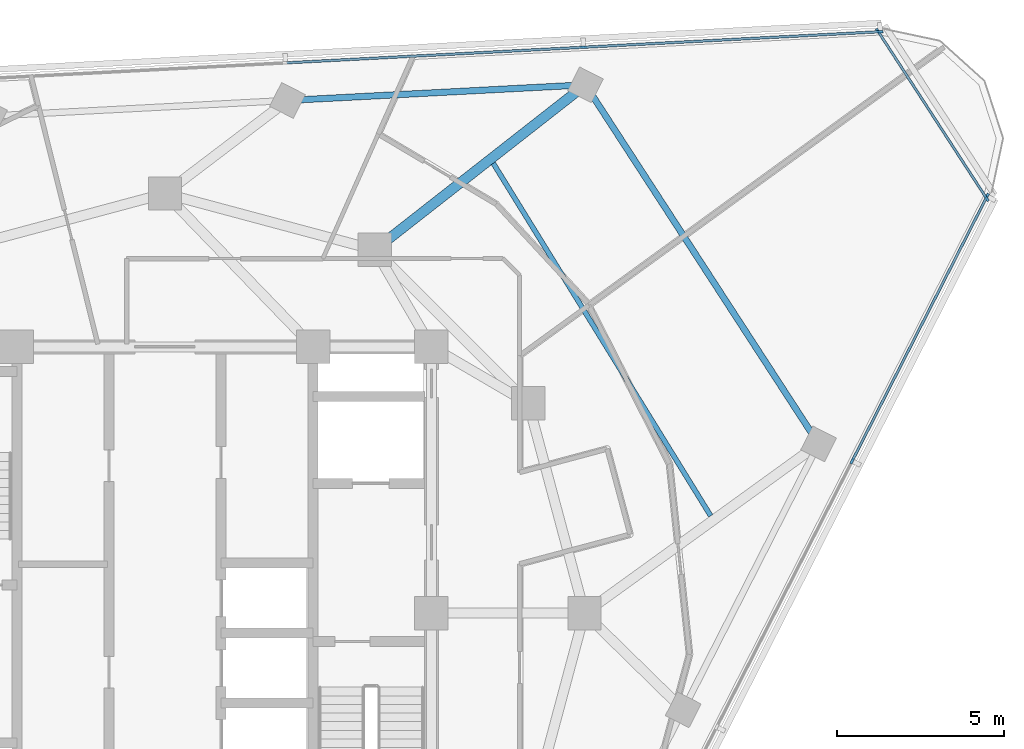
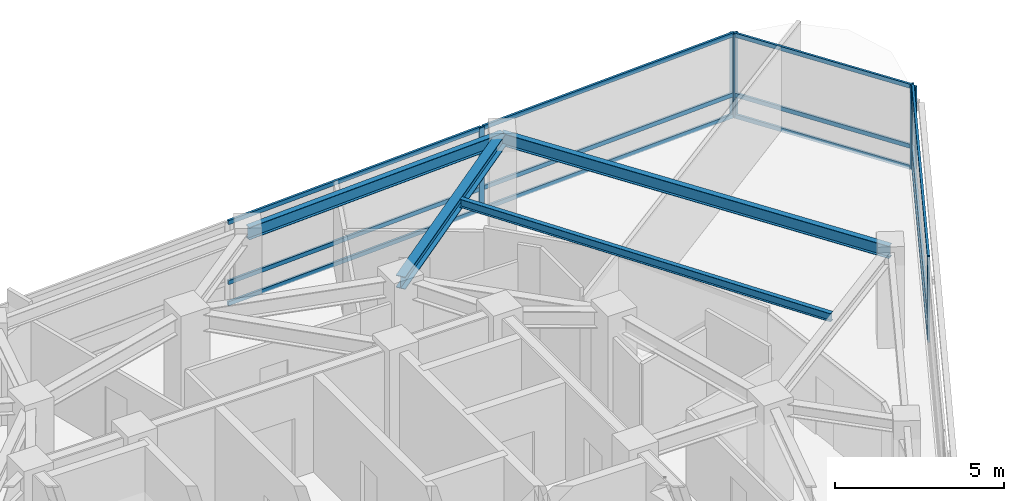
# One storey, part 6 of 15: 18 members, 4 beams, 3 elements without a shape of their own.
"""IFC4 building model written with IfcOpenShell, lengths in metres."""

from ifc_helpers import new_model, si_unit, direction, frame, origin, origin_2d, place, context, subcontext, project, spatial, rectangle, i_section, extrude, material, layer, layer_set, material_profile, profile_set, type_object, element, aggregate, save


model = new_model("IFC4")

# Units and contexts
model_context = context("Model", 3, precision=1e-05, world=origin(), true_north=direction((0.0, 1.0)))
body_context = subcontext(model_context, "Body", "Model", "MODEL_VIEW")
ifc_project = project(units=[si_unit("LENGTHUNIT", "METRE"), si_unit("AREAUNIT", "SQUARE_METRE"), si_unit("VOLUMEUNIT", "CUBIC_METRE"), si_unit("PLANEANGLEUNIT", "RADIAN"), si_unit("MASSUNIT", "GRAM", prefix="KILO")], contexts=[model_context])

# Site, building, storey
site_placement = place(None, origin())
site = spatial("IfcSite", under=ifc_project, at=site_placement, CompositionType="ELEMENT")
building_placement = place(site_placement, origin())
building = spatial("IfcBuilding", under=site, at=building_placement, Name="Terralouvre Media Tower", CompositionType="ELEMENT")
storey_placement = place(building_placement, frame((0.0, 0.0, 248.5)))
storey = spatial("IfcBuildingStorey", under=building, at=storey_placement, Name="L64", CompositionType="ELEMENT", Elevation=248.5)

# Beam
ifc_material_1 = material(Name="Structural steel S355J2", Category="steel")
ifc_material_profile_1 = material_profile(ifc_material_1, i_section(OverallWidth=0.14990234375, OverallDepth=0.300048828125, WebThickness=0.007080078125, FlangeThickness=0.0107421875, at=origin_2d()), Name="IPE 300")
ifc_profile_set_1 = profile_set([ifc_material_profile_1], Name="Structural steel S355J2")
beam_type_1 = type_object("IfcBeamType", Name="Composite Floor Joist J-IPE300 (IPE 300)", PredefinedType="JOIST", material=ifc_profile_set_1)
beam_1_placement = place(storey_placement, frame((16.387451171875, 2.9228515625, 3.35009765625), z_axis=(-0.524944877802, 0.851136226035, 0.0), x_axis=(-0.851136226035, -0.524944877802, 0.0)))
element("IfcBeam", 1, at=beam_1_placement, inside=storey, type_object=beam_type_1, Name="L64 Framing Beam JT-L64-03", PredefinedType="JOIST", context=body_context, shape_type="SweptSolid", body=[
    extrude(i_section(OverallWidth=0.14990234375, OverallDepth=0.300048828125, WebThickness=0.007080078125, FlangeThickness=0.0107421875, at=origin_2d()), origin(), (0.0, 0.0, 1.0), 12.43701171875),
])

# Curtain wall, members
ifc_material_2 = material(Name="Low-iron laminated double glazing with solar-control coating", Category="glass")
ifc_layer_1 = layer(ifc_material_2, 0.1650390625, Name="Upper Executive Tower Curtain Wall CW-05")
ifc_layer_set_1 = layer_set([ifc_layer_1], Name="Low-iron laminated double glazing with solar-control coating")
curtain_wall_type_1 = type_object("IfcCurtainWallType", Name="Upper Executive Tower Curtain Wall CW-05", PredefinedType="NOTDEFINED", material=ifc_layer_set_1)
curtain_wall_1_placement = place(storey_placement, origin())
curtain_wall_1 = element("IfcCurtainWall", 2, at=curtain_wall_1_placement, inside=storey, type_object=curtain_wall_type_1, Name="L64 Facade Curtain Wall F0", PredefinedType="NOTDEFINED")
ifc_material_3 = material(Name="Anodised extruded aluminium 6063-T6", Category="aluminium")
ifc_material_profile_2 = material_profile(ifc_material_3, rectangle(XDim=0.074951171875, YDim=0.14990234375, at=origin_2d()), Name="ALU 75x150")
ifc_profile_set_2 = profile_set([ifc_material_profile_2], Name="Anodised extruded aluminium 6063-T6")
member_type_1 = type_object("IfcMemberType", Name="Curtain-Wall Horizontal Transom TR-150", PredefinedType="USERDEFINED", material=ifc_profile_set_2)
member_1_placement = place(storey_placement, frame((20.6533203125, 4.602783203125, 0.03759765625), z_axis=(0.453989026721, 0.891007274727, 0.0), x_axis=(-0.891007274727, 0.453989026721, 0.0)))
member_1 = element("IfcMember", 3, at=member_1_placement, type_object=member_type_1, Name="CW-05 transom 5.1", ObjectType="TRANSOM", PredefinedType="USERDEFINED", context=body_context, shape_type="SweptSolid", body=[
    extrude(rectangle(XDim=0.074951171875, YDim=0.14990234375, at=origin_2d()), origin(), (0.0, 0.0, 1.0), 8.847412109375),
])
member_2_placement = place(storey_placement, frame((20.6533203125, 4.602783203125, 0.800048828125), z_axis=(0.453989026721, 0.891007274727, 0.0), x_axis=(-0.891007274727, 0.453989026721, 0.0)))
member_2 = element("IfcMember", 4, at=member_2_placement, type_object=member_type_1, Name="CW-05 transom 5.2", ObjectType="TRANSOM", PredefinedType="USERDEFINED", context=body_context, shape_type="SweptSolid", body=[
    extrude(rectangle(XDim=0.074951171875, YDim=0.14990234375, at=origin_2d()), origin(), (0.0, 0.0, 1.0), 8.847412109375),
])
member_3_placement = place(storey_placement, frame((20.6533203125, 4.602783203125, 2.96240234375), z_axis=(0.453989026721, 0.891007274727, 0.0), x_axis=(-0.891007274727, 0.453989026721, 0.0)))
member_3 = element("IfcMember", 5, at=member_3_placement, type_object=member_type_1, Name="CW-05 transom 5.3", ObjectType="TRANSOM", PredefinedType="USERDEFINED", context=body_context, shape_type="SweptSolid", body=[
    extrude(rectangle(XDim=0.074951171875, YDim=0.14990234375, at=origin_2d()), origin(), (0.0, 0.0, 1.0), 8.847412109375),
])

curtain_wall_2_placement = place(storey_placement, origin())
curtain_wall_2 = element("IfcCurtainWall", 6, at=curtain_wall_2_placement, inside=storey, type_object=curtain_wall_type_1, Name="L64 Facade Curtain Wall F1", PredefinedType="NOTDEFINED")
member_4_placement = place(storey_placement, frame((21.440673828125, 17.458740234375, 0.03759765625), z_axis=(-0.99862901196, -0.052345930801, 0.0), x_axis=(0.052345930801, -0.99862901196, 0.0)))
member_4 = element("IfcMember", 7, at=member_4_placement, type_object=member_type_1, Name="CW-05 transom 1.1", ObjectType="TRANSOM", PredefinedType="USERDEFINED", context=body_context, shape_type="SweptSolid", body=[
    extrude(rectangle(XDim=0.074951171875, YDim=0.14990234375, at=origin_2d()), origin(), (0.0, 0.0, 1.0), 8.84765625),
])
member_5_placement = place(storey_placement, frame((21.440673828125, 17.458740234375, 0.800048828125), z_axis=(-0.99862901196, -0.052345930801, 0.0), x_axis=(0.052345930801, -0.99862901196, 0.0)))
member_5 = element("IfcMember", 8, at=member_5_placement, type_object=member_type_1, Name="CW-05 transom 1.2", ObjectType="TRANSOM", PredefinedType="USERDEFINED", context=body_context, shape_type="SweptSolid", body=[
    extrude(rectangle(XDim=0.074951171875, YDim=0.14990234375, at=origin_2d()), origin(), (0.0, 0.0, 1.0), 8.84765625),
])
member_6_placement = place(storey_placement, frame((21.440673828125, 17.458740234375, 2.96240234375), z_axis=(-0.99862901196, -0.052345930801, 0.0), x_axis=(0.052345930801, -0.99862901196, 0.0)))
member_6 = element("IfcMember", 9, at=member_6_placement, type_object=member_type_1, Name="CW-05 transom 1.3", ObjectType="TRANSOM", PredefinedType="USERDEFINED", context=body_context, shape_type="SweptSolid", body=[
    extrude(rectangle(XDim=0.074951171875, YDim=0.14990234375, at=origin_2d()), origin(), (0.0, 0.0, 1.0), 8.84765625),
])
member_7_placement = place(storey_placement, frame((12.5302734375, 16.99169921875, 0.03759765625), z_axis=(-0.998629040577, -0.052345384869, 0.0), x_axis=(0.052345384869, -0.998629040577, 0.0)))
member_7 = element("IfcMember", 10, at=member_7_placement, type_object=member_type_1, Name="CW-05 transom 2.1", ObjectType="TRANSOM", PredefinedType="USERDEFINED", context=body_context, shape_type="SweptSolid", body=[
    extrude(rectangle(XDim=0.074951171875, YDim=0.14990234375, at=origin_2d()), origin(), (0.0, 0.0, 1.0), 8.885009765625),
])
member_8_placement = place(storey_placement, frame((12.5302734375, 16.99169921875, 0.800048828125), z_axis=(-0.998629040577, -0.052345384869, 0.0), x_axis=(0.052345384869, -0.998629040577, 0.0)))
member_8 = element("IfcMember", 11, at=member_8_placement, type_object=member_type_1, Name="CW-05 transom 2.2", ObjectType="TRANSOM", PredefinedType="USERDEFINED", context=body_context, shape_type="SweptSolid", body=[
    extrude(rectangle(XDim=0.074951171875, YDim=0.14990234375, at=origin_2d()), origin(), (0.0, 0.0, 1.0), 8.885009765625),
])
member_9_placement = place(storey_placement, frame((12.5302734375, 16.99169921875, 2.96240234375), z_axis=(-0.998629040577, -0.052345384869, 0.0), x_axis=(0.052345384869, -0.998629040577, 0.0)))
member_9 = element("IfcMember", 12, at=member_9_placement, type_object=member_type_1, Name="CW-05 transom 2.3", ObjectType="TRANSOM", PredefinedType="USERDEFINED", context=body_context, shape_type="SweptSolid", body=[
    extrude(rectangle(XDim=0.074951171875, YDim=0.14990234375, at=origin_2d()), origin(), (0.0, 0.0, 1.0), 8.885009765625),
])

ifc_material_4 = material(Name="Low-iron laminated double glazing with solar-control coating", Category="glass")
ifc_layer_2 = layer(ifc_material_4, 0.1650390625, Name="Rounded Wind-Corner Curved Glazing CW-04")
ifc_layer_set_2 = layer_set([ifc_layer_2], Name="Low-iron laminated double glazing with solar-control coating")
curtain_wall_type_2 = type_object("IfcCurtainWallType", Name="Rounded Wind-Corner Curved Glazing CW-04", PredefinedType="NOTDEFINED", material=ifc_layer_set_2)
curtain_wall_3_placement = place(storey_placement, origin())
curtain_wall_3 = element("IfcCurtainWall", 13, at=curtain_wall_3_placement, inside=storey, type_object=curtain_wall_type_2, Name="L64 Rounded Wind-Corner Curtain Wall C1", PredefinedType="NOTDEFINED")
member_10_placement = place(storey_placement, frame((24.65283203125, 12.48486328125, 0.03759765625), z_axis=(-0.544654480098, 0.838660537589, 0.0), x_axis=(-0.838660537589, -0.544654480098, 0.0)))
member_10 = element("IfcMember", 14, at=member_10_placement, type_object=member_type_1, Name="CW-04 transom 1.1", ObjectType="TRANSOM", PredefinedType="USERDEFINED", context=body_context, shape_type="SweptSolid", body=[
    extrude(rectangle(XDim=0.074951171875, YDim=0.14990234375, at=origin_2d()), origin(), (0.0, 0.0, 1.0), 5.912353515625),
])
member_11_placement = place(storey_placement, frame((24.65283203125, 12.48486328125, 0.800048828125), z_axis=(-0.544654480098, 0.838660537589, 0.0), x_axis=(-0.838660537589, -0.544654480098, 0.0)))
member_11 = element("IfcMember", 15, at=member_11_placement, type_object=member_type_1, Name="CW-04 transom 1.2", ObjectType="TRANSOM", PredefinedType="USERDEFINED", context=body_context, shape_type="SweptSolid", body=[
    extrude(rectangle(XDim=0.074951171875, YDim=0.14990234375, at=origin_2d()), origin(), (0.0, 0.0, 1.0), 5.912353515625),
])
member_12_placement = place(storey_placement, frame((24.65283203125, 12.48486328125, 2.96240234375), z_axis=(-0.544654480098, 0.838660537589, 0.0), x_axis=(-0.838660537589, -0.544654480098, 0.0)))
member_12 = element("IfcMember", 16, at=member_12_placement, type_object=member_type_1, Name="CW-04 transom 1.3", ObjectType="TRANSOM", PredefinedType="USERDEFINED", context=body_context, shape_type="SweptSolid", body=[
    extrude(rectangle(XDim=0.074951171875, YDim=0.14990234375, at=origin_2d()), origin(), (0.0, 0.0, 1.0), 5.912353515625),
])

# Member
ifc_material_5 = material(Name="Anodised extruded aluminium 6063-T6", Category="aluminium")
ifc_material_profile_3 = material_profile(ifc_material_5, rectangle(XDim=0.074951171875, YDim=0.179931640625, at=origin_2d()), Name="ALU 75x180")
ifc_profile_set_3 = profile_set([ifc_material_profile_3], Name="Anodised extruded aluminium 6063-T6")
member_type_2 = type_object("IfcMemberType", Name="Curtain-Wall Vertical Mullion ML-180", PredefinedType="MULLION", material=ifc_profile_set_3)
member_13_placement = place(storey_placement, frame((20.63623046875, 4.5693359375, 0.0), z_axis=(0.0, 0.0, 1.0), x_axis=(-0.891006553308, 0.45399044259, 0.0)))
member_13 = element("IfcMember", 17, at=member_13_placement, type_object=member_type_2, Name="CW-05 mullion 5", PredefinedType="MULLION", context=body_context, shape_type="SweptSolid", body=[
    extrude(rectangle(XDim=0.074951171875, YDim=0.179931640625, at=origin_2d()), origin(), (0.0, 0.0, 1.0), 3.0),
])

member_14_placement = place(storey_placement, frame((24.68701171875, 12.519287109375, 0.0), z_axis=(0.0, 0.0, 1.0), x_axis=(-0.891006553308, 0.45399044259, 0.0)))
member_14 = element("IfcMember", 18, at=member_14_placement, type_object=member_type_2, Name="CW-05 mullion 6", PredefinedType="MULLION", context=body_context, shape_type="SweptSolid", body=[
    extrude(rectangle(XDim=0.074951171875, YDim=0.179931640625, at=origin_2d()), origin(), (0.0, 0.0, 1.0), 3.0),
])

aggregate(curtain_wall_1, [member_13, member_14, member_1, member_2, member_3])

member_15_placement = place(storey_placement, frame((21.47802734375, 17.460693359375, 0.0), z_axis=(0.0, 0.0, 1.0), x_axis=(0.052336163844, -0.998629523875, 0.0)))
member_15 = element("IfcMember", 19, at=member_15_placement, type_object=member_type_2, Name="CW-05 mullion 1", PredefinedType="MULLION", context=body_context, shape_type="SweptSolid", body=[
    extrude(rectangle(XDim=0.074951171875, YDim=0.179931640625, at=origin_2d()), origin(), (0.0, 0.0, 1.0), 3.0),
])

member_16_placement = place(storey_placement, frame((12.56787109375, 16.99365234375, 0.0), z_axis=(0.0, 0.0, 1.0), x_axis=(0.052336163844, -0.998629523875, 0.0)))
member_16 = element("IfcMember", 20, at=member_16_placement, type_object=member_type_2, Name="CW-05 mullion 2", PredefinedType="MULLION", context=body_context, shape_type="SweptSolid", body=[
    extrude(rectangle(XDim=0.074951171875, YDim=0.179931640625, at=origin_2d()), origin(), (0.0, 0.0, 1.0), 3.0),
])

aggregate(curtain_wall_2, [member_15, member_16, member_4, member_5, member_6, member_7, member_8, member_9])

member_17_placement = place(storey_placement, frame((24.673095703125, 12.453369140625, 0.0), z_axis=(0.0, 0.0, 1.0), x_axis=(-0.838670462688, -0.544639197097, 0.0)))
member_17 = element("IfcMember", 21, at=member_17_placement, type_object=member_type_2, Name="CW-04 mullion 1", PredefinedType="MULLION", context=body_context, shape_type="SweptSolid", body=[
    extrude(rectangle(XDim=0.074951171875, YDim=0.179931640625, at=origin_2d()), origin(), (0.0, 0.0, 1.0), 3.0),
])

member_18_placement = place(storey_placement, frame((21.412353515625, 17.474853515625, 0.0), z_axis=(0.0, 0.0, 1.0), x_axis=(-0.838670462688, -0.544639197097, 0.0)))
member_18 = element("IfcMember", 22, at=member_18_placement, type_object=member_type_2, Name="CW-04 mullion 2", PredefinedType="MULLION", context=body_context, shape_type="SweptSolid", body=[
    extrude(rectangle(XDim=0.074951171875, YDim=0.179931640625, at=origin_2d()), origin(), (0.0, 0.0, 1.0), 3.0),
])

aggregate(curtain_wall_3, [member_17, member_18, member_10, member_11, member_12])

# Beams
ifc_material_6 = material(Name="Structural steel S355J2", Category="steel")
ifc_material_profile_4 = material_profile(ifc_material_6, i_section(OverallWidth=0.18994140625, OverallDepth=0.449951171875, WebThickness=0.009521484375, FlangeThickness=0.0146484375, at=origin_2d()), Name="IPE 450")
ifc_profile_set_4 = profile_set([ifc_material_profile_4], Name="Structural steel S355J2")
beam_type_2 = type_object("IfcBeamType", Name="Perimeter Spandrel Beam SPB-450 (IPE 450)", PredefinedType="SPANDREL", material=ifc_profile_set_4)
beam_2_placement = place(storey_placement, frame((19.62939453125, 5.082275390625, 3.27490234375), z_axis=(-0.544633890672, 0.838673908699, 0.0), x_axis=(-0.838673908699, -0.544633890672, 0.0)))
element("IfcBeam", 23, at=beam_2_placement, inside=storey, type_object=beam_type_2, Name="L64 Framing Beam BM-L64-PR07", PredefinedType="SPANDREL", context=body_context, shape_type="SweptSolid", body=[
    extrude(i_section(OverallWidth=0.18994140625, OverallDepth=0.449951171875, WebThickness=0.009521484375, FlangeThickness=0.0146484375, at=origin_2d()), origin(), (0.0, 0.0, 1.0), 12.857177734375),
])
beam_3_placement = place(storey_placement, frame((12.626953125, 15.865234375, 3.27490234375), z_axis=(-0.998629171747, -0.052342882372, 0.0), x_axis=(0.052342882372, -0.998629171747, 0.0)))
element("IfcBeam", 24, at=beam_3_placement, inside=storey, type_object=beam_type_2, Name="L64 Framing Beam BM-L64-PR08", PredefinedType="SPANDREL", context=body_context, shape_type="SweptSolid", body=[
    extrude(i_section(OverallWidth=0.18994140625, OverallDepth=0.449951171875, WebThickness=0.009521484375, FlangeThickness=0.0146484375, at=origin_2d()), origin(), (0.0, 0.0, 1.0), 8.9599609375),
])
ifc_material_7 = material(Name="Structural steel S355J2", Category="steel")
ifc_material_profile_5 = material_profile(ifc_material_7, i_section(OverallWidth=0.300048828125, OverallDepth=0.449951171875, WebThickness=0.013916015625, FlangeThickness=0.02587890625, at=origin_2d()), Name="HEB 450")
ifc_profile_set_5 = profile_set([ifc_material_profile_5], Name="Structural steel S355J2")
beam_type_3 = type_object("IfcBeamType", Name="Primary Floor Girder B-HEB450 (HEB 450)", PredefinedType="BEAM", material=ifc_profile_set_5)
beam_4_placement = place(storey_placement, frame((6.300048828125, 10.911865234375, 3.27490234375), z_axis=(0.787391503235, 0.616453259083, 0.0), x_axis=(-0.616453259083, 0.787391503235, 0.0)))
element("IfcBeam", 25, at=beam_4_placement, inside=storey, type_object=beam_type_3, Name="L64 Framing Beam BM-L64-RD08", PredefinedType="BEAM", context=body_context, shape_type="SweptSolid", body=[
    extrude(i_section(OverallWidth=0.300048828125, OverallDepth=0.449951171875, WebThickness=0.013916015625, FlangeThickness=0.02587890625, at=origin_2d()), origin(), (0.0, 0.0, 1.0), 8.03515625),
])

save(model, "model.ifc")
